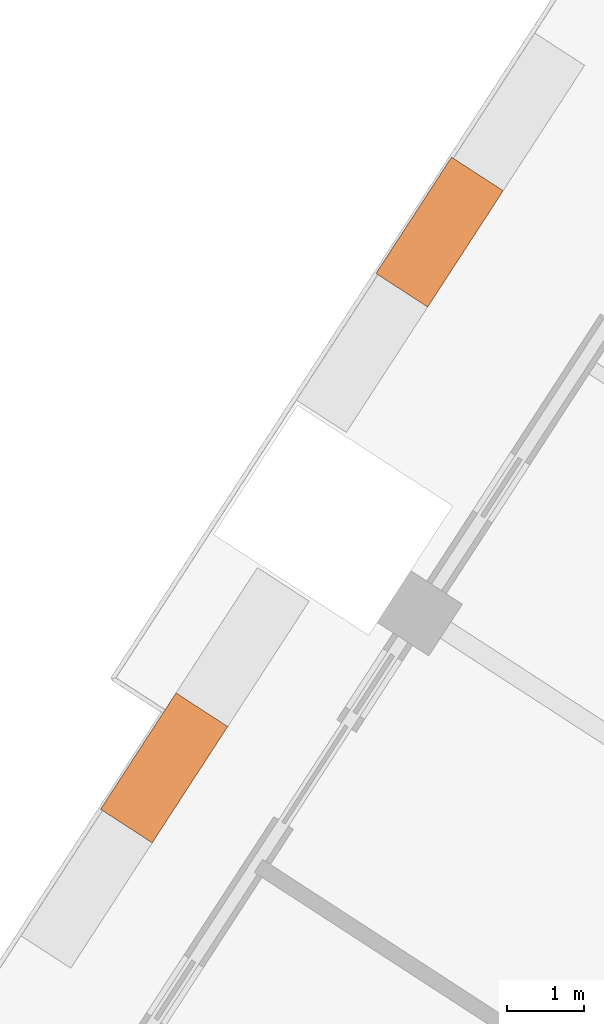
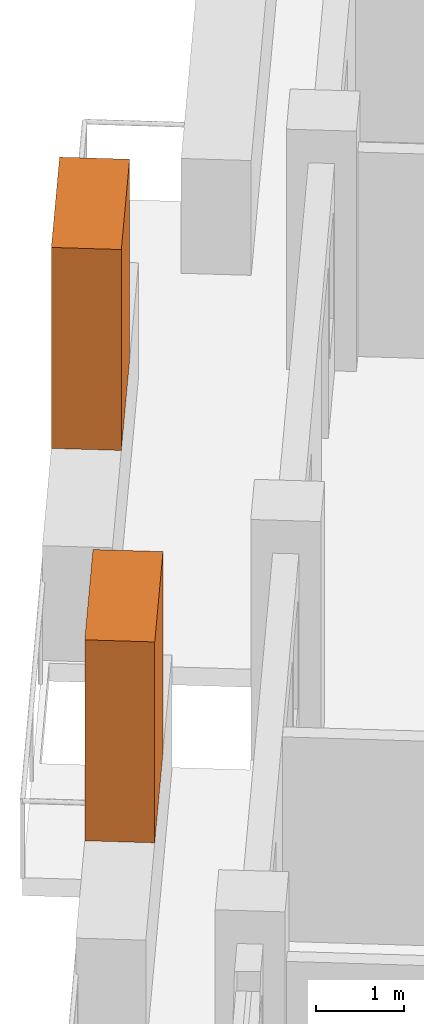
# One storey, part 17 of 17: 2 proxies.
"""IFC4 building model written with IfcOpenShell, lengths in metres."""

from ifc_helpers import new_model, si_unit, direction, frame, origin, origin_2d, place, context, subcontext, project, spatial, rectangle, extrude, element, save


model = new_model("IFC4")

# Units and contexts
model_context = context("Model", 3, precision=1e-05, world=origin(), true_north=direction((0.0, 1.0)))
body_context = subcontext(model_context, "Body", "Model", "MODEL_VIEW")
ifc_project = project(units=[si_unit("LENGTHUNIT", "METRE"), si_unit("AREAUNIT", "SQUARE_METRE"), si_unit("VOLUMEUNIT", "CUBIC_METRE"), si_unit("PLANEANGLEUNIT", "RADIAN"), si_unit("MASSUNIT", "GRAM", prefix="KILO")], contexts=[model_context])

# Site, building, storey
site_placement = place(None, origin())
site = spatial("IfcSite", under=ifc_project, at=site_placement, CompositionType="ELEMENT")
building_placement = place(site_placement, origin())
building = spatial("IfcBuilding", under=site, at=building_placement, Name="Cantera Rosa Tower", CompositionType="ELEMENT")
storey_placement = place(building_placement, frame((0.0, 0.0, 254.10009765625)))
storey = spatial("IfcBuildingStorey", under=building, at=storey_placement, Name="L56", CompositionType="ELEMENT", Elevation=254.10009765625)

# Proxies
for number, where, z_axis, x_axis, name in (
    (1, (-14.732421875, 19.32080078125, 1.60009765625), (0.0, 0.0, 1.0), (-0.544639035015, -0.838670567945, 0.0), "TREE L56-06"),
    (2, (-18.3076171875, 12.365966796875, 1.60009765625), (0.0, 0.0, 1.0), (-0.544639035015, -0.838670567945, 0.0), "TREE L56-07"),
):
    element("IfcBuildingElementProxy", number, at=place(storey_placement, frame(where, z_axis=z_axis, x_axis=x_axis)), inside=storey, Name=name, ObjectType="TREE", PredefinedType="USERDEFINED", context=body_context, shape_type="SweptSolid", body=[
        extrude(rectangle(XDim=1.800048828125, YDim=0.800048828125, at=origin_2d()), origin(), (0.0, 0.0, 1.0), 2.800048828125),
    ])

save(model, "model.ifc")
